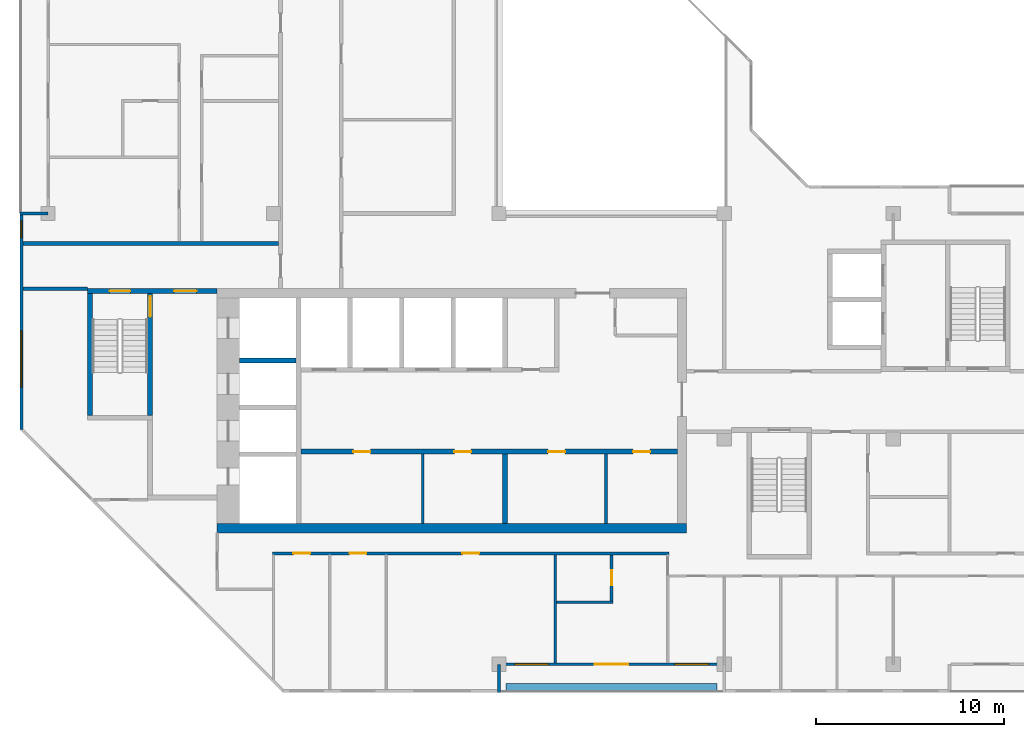
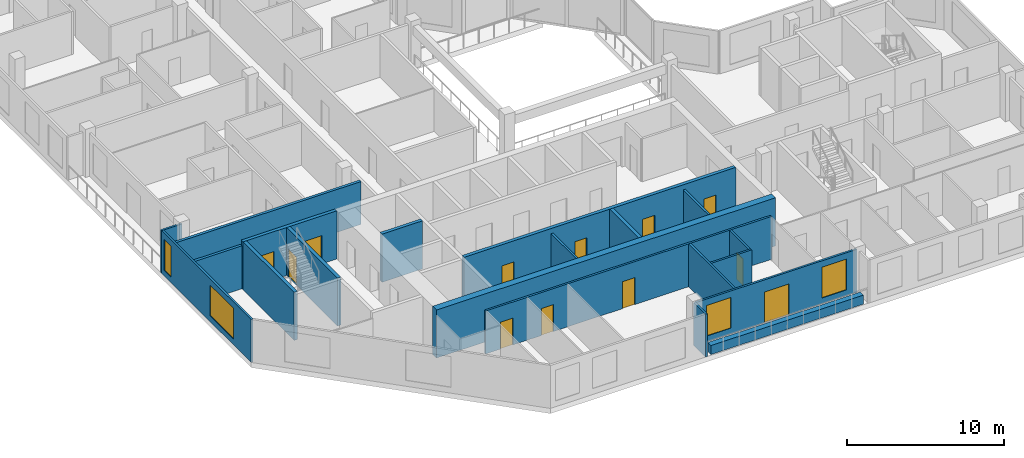
# One storey, part 4 of 12: 20 walls, 12 doors, 4 windows, 16 openings.
"""IFC4 building model written with IfcOpenShell, lengths in metres."""

from ifc_helpers import new_model, si_unit, direction, frame, frame_2d, origin, place, context, subcontext, project, spatial, rectangle, extrude, material, layer, layer_set, type_object, element, fill, save


model = new_model("IFC4")

# Units and contexts
model_context = context("Model", 3, precision=1e-05, world=origin(), true_north=direction((0.0, 1.0)))
body_context = subcontext(model_context, "Body", "Model", "MODEL_VIEW")
ifc_project = project(units=[si_unit("LENGTHUNIT", "METRE"), si_unit("AREAUNIT", "SQUARE_METRE"), si_unit("VOLUMEUNIT", "CUBIC_METRE"), si_unit("PLANEANGLEUNIT", "RADIAN"), si_unit("MASSUNIT", "GRAM", prefix="KILO")], contexts=[model_context])

# Site, building, storey
site_placement = place(None, origin())
site = spatial("IfcSite", under=ifc_project, at=site_placement, CompositionType="ELEMENT")
building_placement = place(site_placement, origin())
building = spatial("IfcBuilding", under=site, at=building_placement, Name="Chenar Terraces", CompositionType="ELEMENT")
storey_placement = place(building_placement, frame((0.0, 0.0, 357.64990234375)))
storey = spatial("IfcBuildingStorey", under=building, at=storey_placement, Name="L83", CompositionType="ELEMENT", Elevation=357.64990234375)

# Walls
ifc_material_1 = material(Name="Gypsum board on steel studs", Category="steel")
ifc_layer_1 = layer(ifc_material_1, 0.14990234375)
ifc_layer_set_1 = layer_set([ifc_layer_1], Name="Gypsum board on steel studs")
wall_type_1 = type_object("IfcWallType", Name="Core partition 150 gypsum board", PredefinedType="PARTITIONING", material=ifc_layer_set_1)
for number, where, z_axis, x_axis, name in (
    (1, (19.949951171875, 7.5, 0.0), (0.0, 0.0, 1.0), (0.0, 1.0, 0.0), "Core partition CP1 freed bay wall"),
    (2, (29.699951171875, 7.5, 0.0), (0.0, 0.0, 1.0), (0.0, 1.0, 0.0), "Core partition CP1 freed bay wall"),
):
    element("IfcWall", number, at=place(storey_placement, frame(where, z_axis=z_axis, x_axis=x_axis)), inside=storey, type_object=wall_type_1, Name=name, PredefinedType="PARTITIONING", context=body_context, shape_type="SweptSolid", body=[
        extrude(rectangle(XDim=3.699951171875, YDim=0.14990234375, at=frame_2d((1.85009765625, 0.0))), origin(), (0.0, 0.0, 1.0), 3.35009765625),
    ])

# Wall, openings, doors
ifc_material_2 = material(Name="Concrete C50/60", Category="concrete")
ifc_layer_2 = layer(ifc_material_2, 0.25)
ifc_layer_set_2 = layer_set([ifc_layer_2], Name="Concrete C50/60")
wall_type_2 = type_object("IfcWallType", Name="Core wall 250 Concrete C50/60", PredefinedType="SHEAR", material=ifc_layer_set_2)
wall_1_placement = place(storey_placement, frame((13.449951171875, 11.324951171875, 0.0), z_axis=(0.0, 0.0, 1.0), x_axis=(1.0, 0.0, 0.0)))
wall_1 = element("IfcWall", 3, at=wall_1_placement, inside=storey, type_object=wall_type_2, Name="Core wall SF L83", PredefinedType="SHEAR", context=body_context, shape_type="SweptSolid", body=[
    extrude(rectangle(XDim=20.050048828125, YDim=0.25, at=frame_2d((10.02490234375, 0.0))), origin(), (0.0, 0.0, 1.0), 3.75),
])
opening_1_placement = place(wall_1_placement, frame((2.800048828125, 0.0, 0.0)))
opening_1 = element("IfcOpeningElement", 4, at=opening_1_placement, cuts=wall_1, Name="Opening DL83-C12", PredefinedType="OPENING", context=body_context, shape_type="SweptSolid", body=[
    extrude(rectangle(XDim=0.89990234375, YDim=2.10009765625, at=frame_2d((0.449951171875, 1.050048828125))), frame((0.0, 0.135009765625, 0.0), z_axis=(0.0, -1.0, 0.0), x_axis=(1.0, 0.0, 0.0)), (0.0, 0.0, 1.0), 0.27001953125),
])
opening_2_placement = place(wall_1_placement, frame((8.175048828125, 0.0, 0.0)))
opening_2 = element("IfcOpeningElement", 5, at=opening_2_placement, cuts=wall_1, Name="Opening DL83-C13", PredefinedType="OPENING", context=body_context, shape_type="SweptSolid", body=[
    extrude(rectangle(XDim=0.89990234375, YDim=2.10009765625, at=frame_2d((0.449951171875, 1.050048828125))), frame((0.0, 0.135009765625, 0.0), z_axis=(0.0, -1.0, 0.0), x_axis=(1.0, 0.0, 0.0)), (0.0, 0.0, 1.0), 0.27001953125),
])
opening_3_placement = place(wall_1_placement, frame((13.175048828125, 0.0, 0.0)))
opening_3 = element("IfcOpeningElement", 6, at=opening_3_placement, cuts=wall_1, Name="Opening DL83-C14", PredefinedType="OPENING", context=body_context, shape_type="SweptSolid", body=[
    extrude(rectangle(XDim=0.89990234375, YDim=2.10009765625, at=frame_2d((0.449951171875, 1.050048828125))), frame((0.0, 0.135009765625, 0.0), z_axis=(0.0, -1.0, 0.0), x_axis=(1.0, 0.0, 0.0)), (0.0, 0.0, 1.0), 0.27001953125),
])
opening_4_placement = place(wall_1_placement, frame((17.699951171875, 0.0, 0.0)))
opening_4 = element("IfcOpeningElement", 7, at=opening_4_placement, cuts=wall_1, Name="Opening DL83-C15", PredefinedType="OPENING", context=body_context, shape_type="SweptSolid", body=[
    extrude(rectangle(XDim=0.89990234375, YDim=2.10009765625, at=frame_2d((0.449951171875, 1.050048828125))), frame((0.0, 0.135009765625, 0.0), z_axis=(0.0, -1.0, 0.0), x_axis=(1.0, 0.0, 0.0)), (0.0, 0.0, 1.0), 0.27001953125),
])
ifc_material_3 = material(Name="Steel-framed fire-resisting door leaf", Category="steel")
door_type_1 = type_object("IfcDoorType", Name="Riser fire door FD60 900 x 2100", OperationType="SINGLE_SWING_LEFT", PredefinedType="DOOR", material=ifc_material_3)
door_1_placement = place(opening_1_placement, frame((0.89990234375, 0.0, 0.0), z_axis=(0.0, 0.0, 1.0), x_axis=(-1.0, 0.0, 0.0)))
door_1 = element("IfcDoor", 8, at=door_1_placement, inside=storey, type_object=door_type_1, Name="Core room door DL83-C12", OperationType="SINGLE_SWING_LEFT", OverallHeight=2.10009765625, OverallWidth=0.89990234375, PredefinedType="DOOR", context=body_context, shape_type="SweptSolid", body=[
    extrude(rectangle(XDim=0.89990234375, YDim=2.10009765625, at=frame_2d((0.449951171875, 1.050048828125))), frame((0.0, 0.02490234375, 0.0), z_axis=(0.0, -1.0, 0.0), x_axis=(1.0, 0.0, 0.0)), (0.0, 0.0, 1.0), 0.050048828125),
])
fill(opening_1, door_1)
door_2_placement = place(opening_2_placement, frame((0.89990234375, 0.0, 0.0), z_axis=(0.0, 0.0, 1.0), x_axis=(-1.0, 0.0, 0.0)))
door_2 = element("IfcDoor", 9, at=door_2_placement, inside=storey, type_object=door_type_1, Name="Core room door DL83-C13", OperationType="SINGLE_SWING_LEFT", OverallHeight=2.10009765625, OverallWidth=0.89990234375, PredefinedType="DOOR", context=body_context, shape_type="SweptSolid", body=[
    extrude(rectangle(XDim=0.89990234375, YDim=2.10009765625, at=frame_2d((0.449951171875, 1.050048828125))), frame((0.0, 0.02490234375, 0.0), z_axis=(0.0, -1.0, 0.0), x_axis=(1.0, 0.0, 0.0)), (0.0, 0.0, 1.0), 0.050048828125),
])
fill(opening_2, door_2)
door_3_placement = place(opening_3_placement, frame((0.89990234375, 0.0, 0.0), z_axis=(0.0, 0.0, 1.0), x_axis=(-1.0, 0.0, 0.0)))
door_3 = element("IfcDoor", 10, at=door_3_placement, inside=storey, type_object=door_type_1, Name="Core room door DL83-C14", OperationType="SINGLE_SWING_LEFT", OverallHeight=2.10009765625, OverallWidth=0.89990234375, PredefinedType="DOOR", context=body_context, shape_type="SweptSolid", body=[
    extrude(rectangle(XDim=0.89990234375, YDim=2.10009765625, at=frame_2d((0.449951171875, 1.050048828125))), frame((0.0, 0.02490234375, 0.0), z_axis=(0.0, -1.0, 0.0), x_axis=(1.0, 0.0, 0.0)), (0.0, 0.0, 1.0), 0.050048828125),
])
fill(opening_3, door_3)
door_4_placement = place(opening_4_placement, frame((0.89990234375, 0.0, 0.0), z_axis=(0.0, 0.0, 1.0), x_axis=(-1.0, 0.0, 0.0)))
door_4 = element("IfcDoor", 11, at=door_4_placement, inside=storey, type_object=door_type_1, Name="Core room door DL83-C15", OperationType="SINGLE_SWING_RIGHT", OverallHeight=2.10009765625, OverallWidth=0.89990234375, PredefinedType="DOOR", context=body_context, shape_type="SweptSolid", body=[
    extrude(rectangle(XDim=0.89990234375, YDim=2.10009765625, at=frame_2d((0.449951171875, 1.050048828125))), frame((0.0, 0.02490234375, 0.0), z_axis=(0.0, -1.0, 0.0), x_axis=(1.0, 0.0, 0.0)), (0.0, 0.0, 1.0), 0.050048828125),
])
fill(opening_4, door_4)

# Walls
wall_2_placement = place(storey_placement, frame((10.199951171875, 16.175048828125, 0.0), z_axis=(0.0, 0.0, 1.0), x_axis=(1.0, 0.0, 0.0)))
element("IfcWall", 12, at=wall_2_placement, inside=storey, type_object=wall_type_2, Name="Core wall HW2 L83", PredefinedType="SHEAR", context=body_context, shape_type="SweptSolid", body=[
    extrude(rectangle(XDim=3.0, YDim=0.25, at=frame_2d((1.5, 0.0))), origin(), (0.0, 0.0, 1.0), 3.75),
])
wall_3_placement = place(storey_placement, frame((24.324951171875, 7.5, 0.0), z_axis=(0.0, 0.0, 1.0), x_axis=(0.0, 1.0, 0.0)))
element("IfcWall", 13, at=wall_3_placement, inside=storey, type_object=wall_type_2, Name="Core wall SS3 L83", PredefinedType="SHEAR", context=body_context, shape_type="SweptSolid", body=[
    extrude(rectangle(XDim=3.699951171875, YDim=0.25, at=frame_2d((1.85009765625, 0.0))), origin(), (0.0, 0.0, 1.0), 3.75),
])

# Wall, openings, doors
wall_4_placement = place(storey_placement, frame((2.10009765625, 19.875, 0.0), z_axis=(0.0, 0.0, 1.0), x_axis=(1.0, 0.0, 0.0)))
wall_4 = element("IfcWall", 14, at=wall_4_placement, inside=storey, type_object=wall_type_2, Name="Core wall A_N L83", PredefinedType="SHEAR", context=body_context, shape_type="SweptSolid", body=[
    extrude(rectangle(XDim=6.89990234375, YDim=0.25, at=frame_2d((3.449951171875, 0.0))), origin(), (0.0, 0.0, 1.0), 3.75),
])
opening_5_placement = place(wall_4_placement, frame((1.175048828125, 0.0, 0.0)))
opening_5 = element("IfcOpeningElement", 15, at=opening_5_placement, cuts=wall_4, Name="Opening DL83-C5", PredefinedType="OPENING", context=body_context, shape_type="SweptSolid", body=[
    extrude(rectangle(XDim=1.10009765625, YDim=2.199951171875, at=frame_2d((0.550048828125, 1.10009765625))), frame((0.0, 0.135009765625, 0.0), z_axis=(0.0, -1.0, 0.0), x_axis=(1.0, 0.0, 0.0)), (0.0, 0.0, 1.0), 0.27001953125),
])
opening_6_placement = place(wall_4_placement, frame((4.60009765625, 0.0, 0.0)))
opening_6 = element("IfcOpeningElement", 16, at=opening_6_placement, cuts=wall_4, Name="Opening DL83-C6", PredefinedType="OPENING", context=body_context, shape_type="SweptSolid", body=[
    extrude(rectangle(XDim=1.199951171875, YDim=2.199951171875, at=frame_2d((0.60009765625, 1.10009765625))), frame((0.0, 0.135009765625, 0.0), z_axis=(0.0, -1.0, 0.0), x_axis=(1.0, 0.0, 0.0)), (0.0, 0.0, 1.0), 0.27001953125),
])
ifc_material_4 = material(Name="Steel-framed fire-resisting door leaf", Category="steel")
door_type_2 = type_object("IfcDoorType", Name="Lobby fire door FD60 1200 x 2200", OperationType="SINGLE_SWING_LEFT", PredefinedType="DOOR", material=ifc_material_4)
door_5_placement = place(opening_6_placement, frame((1.199951171875, 0.0, 0.0), z_axis=(0.0, 0.0, 1.0), x_axis=(-1.0, 0.0, 0.0)))
door_5 = element("IfcDoor", 17, at=door_5_placement, inside=storey, type_object=door_type_2, Name="Core door DL83-C6", OperationType="SINGLE_SWING_LEFT", OverallHeight=2.199951171875, OverallWidth=1.199951171875, PredefinedType="DOOR", context=body_context, shape_type="SweptSolid", body=[
    extrude(rectangle(XDim=1.199951171875, YDim=2.199951171875, at=frame_2d((0.60009765625, 1.10009765625))), frame((0.0, 0.02490234375, 0.0), z_axis=(0.0, -1.0, 0.0), x_axis=(1.0, 0.0, 0.0)), (0.0, 0.0, 1.0), 0.050048828125),
])
fill(opening_6, door_5)
ifc_material_5 = material(Name="Steel-framed fire-resisting door leaf", Category="steel")
door_type_3 = type_object("IfcDoorType", Name="Stair fire door FD60 1100 x 2200", OperationType="SINGLE_SWING_LEFT", PredefinedType="DOOR", material=ifc_material_5)
door_6_placement = place(opening_5_placement, origin())
door_6 = element("IfcDoor", 18, at=door_6_placement, inside=storey, type_object=door_type_3, Name="Stair door DL83-C5", OperationType="SINGLE_SWING_LEFT", OverallHeight=2.199951171875, OverallWidth=1.10009765625, PredefinedType="DOOR", context=body_context, shape_type="SweptSolid", body=[
    extrude(rectangle(XDim=1.10009765625, YDim=2.199951171875, at=frame_2d((0.550048828125, 1.10009765625))), frame((0.0, 0.02490234375, 0.0), z_axis=(0.0, -1.0, 0.0), x_axis=(1.0, 0.0, 0.0)), (0.0, 0.0, 1.0), 0.050048828125),
])
fill(opening_5, door_6)

# Wall
wall_5_placement = place(storey_placement, frame((2.22509765625, 13.25, 0.0), z_axis=(0.0, 0.0, 1.0), x_axis=(0.0, 1.0, 0.0)))
element("IfcWall", 19, at=wall_5_placement, inside=storey, type_object=wall_type_2, Name="Core wall ST1_W L83", PredefinedType="SHEAR", context=body_context, shape_type="SweptSolid", body=[
    extrude(rectangle(XDim=6.5, YDim=0.25, at=frame_2d((3.25, 0.0))), origin(), (0.0, 0.0, 1.0), 3.75),
])

# Wall, opening, door
wall_6_placement = place(storey_placement, frame((5.425048828125, 13.25, 0.0), z_axis=(0.0, 0.0, 1.0), x_axis=(0.0, 1.0, 0.0)))
wall_6 = element("IfcWall", 20, at=wall_6_placement, inside=storey, type_object=wall_type_2, Name="Core wall ST1_E L83", PredefinedType="SHEAR", context=body_context, shape_type="SweptSolid", body=[
    extrude(rectangle(XDim=6.5, YDim=0.25, at=frame_2d((3.25, 0.0))), origin(), (0.0, 0.0, 1.0), 3.75),
])
opening_7_placement = place(wall_6_placement, frame((5.25, 0.0, 0.0)))
opening_7 = element("IfcOpeningElement", 21, at=opening_7_placement, cuts=wall_6, Name="Opening DL83-C3", PredefinedType="OPENING", context=body_context, shape_type="SweptSolid", body=[
    extrude(rectangle(XDim=1.10009765625, YDim=2.199951171875, at=frame_2d((0.550048828125, 1.10009765625))), frame((0.0, 0.135009765625, 0.0), z_axis=(0.0, -1.0, 0.0), x_axis=(1.0, 0.0, 0.0)), (0.0, 0.0, 1.0), 0.27001953125),
])
door_7_placement = place(opening_7_placement, origin())
door_7 = element("IfcDoor", 22, at=door_7_placement, inside=storey, type_object=door_type_3, Name="Stair door DL83-C3", OperationType="SINGLE_SWING_RIGHT", OverallHeight=2.199951171875, OverallWidth=1.10009765625, PredefinedType="DOOR", context=body_context, shape_type="SweptSolid", body=[
    extrude(rectangle(XDim=1.10009765625, YDim=2.199951171875, at=frame_2d((0.550048828125, 1.10009765625))), frame((0.0, 0.02490234375, 0.0), z_axis=(0.0, -1.0, 0.0), x_axis=(1.0, 0.0, 0.0)), (0.0, 0.0, 1.0), 0.050048828125),
])
fill(opening_7, door_7)

# Walls
ifc_material_6 = material(Name="Concrete C50/60", Category="concrete")
ifc_layer_3 = layer(ifc_material_6, 0.5)
ifc_layer_set_3 = layer_set([ifc_layer_3], Name="Concrete C50/60")
wall_type_3 = type_object("IfcWallType", Name="Core wall 500 Concrete C50/60", PredefinedType="SHEAR", material=ifc_layer_set_3)
wall_7_placement = place(storey_placement, frame((9.0, 7.25, 0.0), z_axis=(0.0, 0.0, 1.0), x_axis=(1.0, 0.0, 0.0)))
element("IfcWall", 23, at=wall_7_placement, inside=storey, type_object=wall_type_3, Name="Core wall S L83", PredefinedType="SHEAR", context=body_context, shape_type="SweptSolid", body=[
    extrude(rectangle(XDim=25.0, YDim=0.5, at=frame_2d((12.5, 0.0))), origin(), (0.0, 0.0, 1.0), 3.75),
])
ifc_material_7 = material(Name="Gypsum board on steel studs with fire boards", Category="steel")
ifc_layer_4 = layer(ifc_material_7, 0.199951171875)
ifc_layer_set_4 = layer_set([ifc_layer_4], Name="Gypsum board on steel studs with fire boards")
wall_type_4 = type_object("IfcWallType", Name="Corridor wall 200", PredefinedType="PARTITIONING", material=ifc_layer_set_4)
wall_8_placement = place(storey_placement, frame((-1.35009765625, 20.0, 0.0), z_axis=(0.0, 0.0, 1.0), x_axis=(1.0, 0.0, 0.0)))
element("IfcWall", 24, at=wall_8_placement, inside=storey, type_object=wall_type_4, Name="Partition L83-002", PredefinedType="PARTITIONING", context=body_context, shape_type="SweptSolid", body=[
    extrude(rectangle(XDim=3.4501953125, YDim=0.199951171875, at=frame_2d((1.72509765625, 0.0))), origin(), (0.0, 0.0, 1.0), 3.35009765625),
])
wall_9_placement = place(storey_placement, frame((-1.35009765625, 22.39990234375, 0.0), z_axis=(0.0, 0.0, 1.0), x_axis=(1.0, 0.0, 0.0)))
element("IfcWall", 25, at=wall_9_placement, inside=storey, type_object=wall_type_4, Name="Partition L83-003", PredefinedType="PARTITIONING", context=body_context, shape_type="SweptSolid", body=[
    extrude(rectangle(XDim=13.625, YDim=0.199951171875, at=frame_2d((6.8125, 0.0))), origin(), (0.0, 0.0, 1.0), 3.35009765625),
])

# Wall, openings, windows
ifc_material_8 = material(Name="Aluminium framed glazing", Category="aluminium")
ifc_layer_5 = layer(ifc_material_8, 0.14990234375)
ifc_layer_set_5 = layer_set([ifc_layer_5], Name="Aluminium framed glazing")
wall_type_5 = type_object("IfcWallType", Name="Glazed flush facade wall 150", PredefinedType="SOLIDWALL", material=ifc_layer_set_5)
wall_10_placement = place(storey_placement, frame((-1.425048828125, 23.925048828125, 0.0), z_axis=(0.0, 0.0, 1.0), x_axis=(0.0, -1.0, 0.0)))
wall_10 = element("IfcWall", 26, at=wall_10_placement, inside=storey, type_object=wall_type_5, Name="Glazed flush facade wall", PredefinedType="SOLIDWALL", context=body_context, shape_type="SweptSolid", body=[
    extrude(rectangle(XDim=11.425048828125, YDim=0.14990234375, at=frame_2d((5.71240234375, 0.0))), origin(), (0.0, 0.0, 1.0), 3.35009765625),
])
opening_8_placement = place(wall_10_placement, frame((0.3125, 0.0, 0.449951171875)))
opening_8 = element("IfcOpeningElement", 27, at=opening_8_placement, cuts=wall_10, Name="Opening W90x240", PredefinedType="OPENING", context=body_context, shape_type="SweptSolid", body=[
    extrude(rectangle(XDim=0.89990234375, YDim=2.39990234375, at=frame_2d((0.449951171875, 1.199951171875))), frame((0.0, 0.0849609375, 0.0), z_axis=(0.0, -1.0, 0.0), x_axis=(1.0, 0.0, 0.0)), (0.0, 0.0, 1.0), 0.169921875),
])
opening_9_placement = place(wall_10_placement, frame((6.175048828125, 0.0, 0.449951171875)))
opening_9 = element("IfcOpeningElement", 28, at=opening_9_placement, cuts=wall_10, Name="Opening W300x240", PredefinedType="OPENING", context=body_context, shape_type="SweptSolid", body=[
    extrude(rectangle(XDim=3.0, YDim=2.39990234375, at=frame_2d((1.5, 1.199951171875))), frame((0.0, 0.0849609375, 0.0), z_axis=(0.0, -1.0, 0.0), x_axis=(1.0, 0.0, 0.0)), (0.0, 0.0, 1.0), 0.169921875),
])
ifc_material_9 = material(Name="Low emissivity double glazing, aluminium frame", Category="aluminium")
window_type_1 = type_object("IfcWindowType", Name="Fixed light 3000 x 2400", PartitioningType="SINGLE_PANEL", PredefinedType="WINDOW", material=ifc_material_9)
window_1_placement = place(opening_9_placement, origin())
window_1 = element("IfcWindow", 29, at=window_1_placement, inside=storey, type_object=window_type_1, Name="Window", OverallHeight=2.39990234375, OverallWidth=3.0, PartitioningType="SINGLE_PANEL", PredefinedType="WINDOW", context=body_context, shape_type="SweptSolid", body=[
    extrude(rectangle(XDim=3.0, YDim=2.39990234375, at=frame_2d((1.5, 1.199951171875))), frame((0.0, 0.030029296875, 0.0), z_axis=(0.0, -1.0, 0.0), x_axis=(1.0, 0.0, 0.0)), (0.0, 0.0, 1.0), 0.06005859375),
])
fill(opening_9, window_1)
ifc_material_10 = material(Name="Low emissivity double glazing, aluminium frame", Category="aluminium")
window_type_2 = type_object("IfcWindowType", Name="Fixed light 900 x 2400", PartitioningType="SINGLE_PANEL", PredefinedType="WINDOW", material=ifc_material_10)
window_2_placement = place(opening_8_placement, origin())
window_2 = element("IfcWindow", 30, at=window_2_placement, inside=storey, type_object=window_type_2, Name="Window", OverallHeight=2.39990234375, OverallWidth=0.89990234375, PartitioningType="SINGLE_PANEL", PredefinedType="WINDOW", context=body_context, shape_type="SweptSolid", body=[
    extrude(rectangle(XDim=0.89990234375, YDim=2.39990234375, at=frame_2d((0.449951171875, 1.199951171875))), frame((0.0, 0.030029296875, 0.0), z_axis=(0.0, -1.0, 0.0), x_axis=(1.0, 0.0, 0.0)), (0.0, 0.0, 1.0), 0.06005859375),
])
fill(opening_8, window_2)

# Wall, openings, windows, door
ifc_material_11 = material(Name="Aluminium framed glazing", Category="aluminium")
ifc_layer_6 = layer(ifc_material_11, 0.14990234375)
ifc_layer_set_6 = layer_set([ifc_layer_6], Name="Aluminium framed glazing")
wall_type_6 = type_object("IfcWallType", Name="Glazed loggia back wall 150", PredefinedType="SOLIDWALL", material=ifc_layer_set_6)
wall_11_placement = place(storey_placement, frame((24.074951171875, 0.0, 0.0), z_axis=(0.0, 0.0, 1.0), x_axis=(1.0, 0.0, 0.0)))
wall_11 = element("IfcWall", 31, at=wall_11_placement, inside=storey, type_object=wall_type_6, Name="Glazed loggia back wall", PredefinedType="SOLIDWALL", context=body_context, shape_type="SweptSolid", body=[
    extrude(rectangle(XDim=11.85009765625, YDim=0.14990234375, at=frame_2d((5.925048828125, 0.0))), origin(), (0.0, 0.0, 1.0), 3.35009765625),
])
opening_10_placement = place(wall_11_placement, frame((0.762451171875, 0.0, 0.449951171875)))
opening_10 = element("IfcOpeningElement", 32, at=opening_10_placement, cuts=wall_11, Name="Opening W180x240", PredefinedType="OPENING", context=body_context, shape_type="SweptSolid", body=[
    extrude(rectangle(XDim=1.800048828125, YDim=2.39990234375, at=frame_2d((0.89990234375, 1.199951171875))), frame((0.0, 0.0849609375, 0.0), z_axis=(0.0, -1.0, 0.0), x_axis=(1.0, 0.0, 0.0)), (0.0, 0.0, 1.0), 0.169921875),
])
opening_11_placement = place(wall_11_placement, frame((5.02490234375, 0.0, 0.0)))
opening_11 = element("IfcOpeningElement", 33, at=opening_11_placement, cuts=wall_11, Name="Opening DL83-G4", PredefinedType="OPENING", context=body_context, shape_type="SweptSolid", body=[
    extrude(rectangle(XDim=1.800048828125, YDim=2.39990234375, at=frame_2d((0.89990234375, 1.199951171875))), frame((0.0, 0.0849609375, 0.0), z_axis=(0.0, -1.0, 0.0), x_axis=(1.0, 0.0, 0.0)), (0.0, 0.0, 1.0), 0.169921875),
])
opening_12_placement = place(wall_11_placement, frame((9.28759765625, 0.0, 0.449951171875)))
opening_12 = element("IfcOpeningElement", 34, at=opening_12_placement, cuts=wall_11, Name="Opening W180x240", PredefinedType="OPENING", context=body_context, shape_type="SweptSolid", body=[
    extrude(rectangle(XDim=1.800048828125, YDim=2.39990234375, at=frame_2d((0.89990234375, 1.199951171875))), frame((0.0, 0.0849609375, 0.0), z_axis=(0.0, -1.0, 0.0), x_axis=(1.0, 0.0, 0.0)), (0.0, 0.0, 1.0), 0.169921875),
])
ifc_material_12 = material(Name="Low emissivity double glazing, aluminium frame", Category="aluminium")
window_type_3 = type_object("IfcWindowType", Name="Fixed light 1800 x 2400", PartitioningType="SINGLE_PANEL", PredefinedType="WINDOW", material=ifc_material_12)
window_3_placement = place(opening_10_placement, origin())
window_3 = element("IfcWindow", 35, at=window_3_placement, inside=storey, type_object=window_type_3, Name="Window", OverallHeight=2.39990234375, OverallWidth=1.800048828125, PartitioningType="SINGLE_PANEL", PredefinedType="WINDOW", context=body_context, shape_type="SweptSolid", body=[
    extrude(rectangle(XDim=1.800048828125, YDim=2.39990234375, at=frame_2d((0.89990234375, 1.199951171875))), frame((0.0, 0.030029296875, 0.0), z_axis=(0.0, -1.0, 0.0), x_axis=(1.0, 0.0, 0.0)), (0.0, 0.0, 1.0), 0.06005859375),
])
fill(opening_10, window_3)
window_4_placement = place(opening_12_placement, origin())
window_4 = element("IfcWindow", 36, at=window_4_placement, inside=storey, type_object=window_type_3, Name="Window", OverallHeight=2.39990234375, OverallWidth=1.800048828125, PartitioningType="SINGLE_PANEL", PredefinedType="WINDOW", context=body_context, shape_type="SweptSolid", body=[
    extrude(rectangle(XDim=1.800048828125, YDim=2.39990234375, at=frame_2d((0.89990234375, 1.199951171875))), frame((0.0, 0.030029296875, 0.0), z_axis=(0.0, -1.0, 0.0), x_axis=(1.0, 0.0, 0.0)), (0.0, 0.0, 1.0), 0.06005859375),
])
fill(opening_12, window_4)
ifc_material_13 = material(Name="Low emissivity double glazing, aluminium frame", Category="aluminium")
door_type_4 = type_object("IfcDoorType", Name="Loggia glazed double door 1800 x 2400", OperationType="DOUBLE_DOOR_SINGLE_SWING", PredefinedType="DOOR", material=ifc_material_13)
door_8_placement = place(opening_11_placement, frame((1.800048828125, 0.0, 0.0), z_axis=(0.0, 0.0, 1.0), x_axis=(-1.0, 0.0, 0.0)))
door_8 = element("IfcDoor", 37, at=door_8_placement, inside=storey, type_object=door_type_4, Name="Loggia glazed door", OperationType="DOUBLE_DOOR_SINGLE_SWING", OverallHeight=2.39990234375, OverallWidth=1.800048828125, PredefinedType="DOOR", context=body_context, shape_type="SweptSolid", body=[
    extrude(rectangle(XDim=1.800048828125, YDim=2.39990234375, at=frame_2d((0.89990234375, 1.199951171875))), frame((0.0, 0.02490234375, 0.0), z_axis=(0.0, -1.0, 0.0), x_axis=(1.0, 0.0, 0.0)), (0.0, 0.0, 1.0), 0.050048828125),
])
fill(opening_11, door_8)

# Walls
ifc_material_14 = material(Name="Terracotta cladding on insulated backing", Category="masonry")
ifc_layer_7 = layer(ifc_material_14, 0.14990234375)
ifc_layer_set_7 = layer_set([ifc_layer_7], Name="Terracotta cladding on insulated backing")
wall_type_7 = type_object("IfcWallType", Name="Loggia return wall 150", PredefinedType="SOLIDWALL", material=ifc_layer_set_7)
for number, where, z_axis, x_axis, name in (
    (38, (-1.5, 24.0, 0.0), (0.0, 0.0, 1.0), (1.0, 0.0, 0.0), "Loggia return wall"),
    (39, (24.0, -1.5, 0.0), (0.0, 0.0, 1.0), (0.0, 1.0, 0.0), "Loggia return wall"),
):
    element("IfcWall", number, at=place(storey_placement, frame(where, z_axis=z_axis, x_axis=x_axis)), inside=storey, type_object=wall_type_7, Name=name, PredefinedType="SOLIDWALL", context=body_context, shape_type="SweptSolid", body=[
        extrude(rectangle(XDim=1.5, YDim=0.14990234375, at=frame_2d((0.75, 0.0))), origin(), (0.0, 0.0, 1.0), 3.35009765625),
    ])
ifc_material_15 = material(Name="GRP planter trough")
ifc_layer_8 = layer(ifc_material_15, 0.39990234375)
ifc_layer_set_8 = layer_set([ifc_layer_8], Name="GRP planter trough")
wall_type_8 = type_object("IfcWallType", Name="Vertical greenery planter 400", PredefinedType="SOLIDWALL", material=ifc_layer_set_8)
wall_12_placement = place(storey_placement, frame((24.375, -1.22900390625, 0.0), z_axis=(0.0, 0.0, 1.0), x_axis=(1.0, 0.0, 0.0)))
element("IfcWall", 40, at=wall_12_placement, inside=storey, type_object=wall_type_8, Name="Vertical greenery planter", PredefinedType="SOLIDWALL", context=body_context, shape_type="SweptSolid", body=[
    extrude(rectangle(XDim=11.25, YDim=0.39990234375, at=frame_2d((5.625, 0.0))), origin(), (0.0, 0.0, 1.0), 0.7001953125),
])

# Wall, openings, doors
ifc_material_16 = material(Name="Moisture-resistant gypsum board on steel studs", Category="steel")
ifc_layer_9 = layer(ifc_material_16, 0.14990234375)
ifc_layer_set_9 = layer_set([ifc_layer_9], Name="Moisture-resistant gypsum board on steel studs")
wall_type_9 = type_object("IfcWallType", Name="Wet-room partition 150", PredefinedType="PARTITIONING", material=ifc_layer_set_9)
wall_13_placement = place(storey_placement, frame((11.949951171875, 5.89990234375, 0.0), z_axis=(0.0, 0.0, 1.0), x_axis=(1.0, 0.0, 0.0)))
wall_13 = element("IfcWall", 41, at=wall_13_placement, inside=storey, type_object=wall_type_9, Name="Partition L83-030", PredefinedType="PARTITIONING", context=body_context, shape_type="SweptSolid", body=[
    extrude(rectangle(XDim=21.10009765625, YDim=0.14990234375, at=frame_2d((10.550048828125, 0.0))), origin(), (0.0, 0.0, 1.0), 3.35009765625),
])
opening_13_placement = place(wall_13_placement, frame((1.10009765625, 0.0, 0.0)))
opening_13 = element("IfcOpeningElement", 42, at=opening_13_placement, cuts=wall_13, Name="Opening DL83-24", PredefinedType="OPENING", context=body_context, shape_type="SweptSolid", body=[
    extrude(rectangle(XDim=0.89990234375, YDim=2.10009765625, at=frame_2d((0.449951171875, 1.050048828125))), frame((0.0, 0.0849609375, 0.0), z_axis=(0.0, -1.0, 0.0), x_axis=(1.0, 0.0, 0.0)), (0.0, 0.0, 1.0), 0.169921875),
])
opening_14_placement = place(wall_13_placement, frame((4.10009765625, 0.0, 0.0)))
opening_14 = element("IfcOpeningElement", 43, at=opening_14_placement, cuts=wall_13, Name="Opening DL83-25", PredefinedType="OPENING", context=body_context, shape_type="SweptSolid", body=[
    extrude(rectangle(XDim=0.89990234375, YDim=2.10009765625, at=frame_2d((0.449951171875, 1.050048828125))), frame((0.0, 0.0849609375, 0.0), z_axis=(0.0, -1.0, 0.0), x_axis=(1.0, 0.0, 0.0)), (0.0, 0.0, 1.0), 0.169921875),
])
opening_15_placement = place(wall_13_placement, frame((10.10009765625, 0.0, 0.0)))
opening_15 = element("IfcOpeningElement", 44, at=opening_15_placement, cuts=wall_13, Name="Opening DL83-37", PredefinedType="OPENING", context=body_context, shape_type="SweptSolid", body=[
    extrude(rectangle(XDim=0.89990234375, YDim=2.10009765625, at=frame_2d((0.449951171875, 1.050048828125))), frame((0.0, 0.0849609375, 0.0), z_axis=(0.0, -1.0, 0.0), x_axis=(1.0, 0.0, 0.0)), (0.0, 0.0, 1.0), 0.169921875),
])
ifc_material_17 = material(Name="Veneered timber door leaf", Category="wood")
door_type_5 = type_object("IfcDoorType", Name="Door 900 x 2100", OperationType="SINGLE_SWING_LEFT", PredefinedType="DOOR", material=ifc_material_17)
door_9_placement = place(opening_13_placement, frame((0.89990234375, 0.0, 0.0), z_axis=(0.0, 0.0, 1.0), x_axis=(-1.0, 0.0, 0.0)))
door_9 = element("IfcDoor", 45, at=door_9_placement, inside=storey, type_object=door_type_5, Name="Door DL83-24", OperationType="SINGLE_SWING_RIGHT", OverallHeight=2.10009765625, OverallWidth=0.89990234375, PredefinedType="DOOR", context=body_context, shape_type="SweptSolid", body=[
    extrude(rectangle(XDim=0.89990234375, YDim=2.10009765625, at=frame_2d((0.449951171875, 1.050048828125))), frame((0.0, 0.02490234375, 0.0), z_axis=(0.0, -1.0, 0.0), x_axis=(1.0, 0.0, 0.0)), (0.0, 0.0, 1.0), 0.050048828125),
])
fill(opening_13, door_9)
door_10_placement = place(opening_14_placement, frame((0.89990234375, 0.0, 0.0), z_axis=(0.0, 0.0, 1.0), x_axis=(-1.0, 0.0, 0.0)))
door_10 = element("IfcDoor", 46, at=door_10_placement, inside=storey, type_object=door_type_5, Name="Door DL83-25", OperationType="SINGLE_SWING_RIGHT", OverallHeight=2.10009765625, OverallWidth=0.89990234375, PredefinedType="DOOR", context=body_context, shape_type="SweptSolid", body=[
    extrude(rectangle(XDim=0.89990234375, YDim=2.10009765625, at=frame_2d((0.449951171875, 1.050048828125))), frame((0.0, 0.02490234375, 0.0), z_axis=(0.0, -1.0, 0.0), x_axis=(1.0, 0.0, 0.0)), (0.0, 0.0, 1.0), 0.050048828125),
])
fill(opening_14, door_10)
door_11_placement = place(opening_15_placement, frame((0.89990234375, 0.0, 0.0), z_axis=(0.0, 0.0, 1.0), x_axis=(-1.0, 0.0, 0.0)))
door_11 = element("IfcDoor", 47, at=door_11_placement, inside=storey, type_object=door_type_5, Name="Door DL83-37", OperationType="SINGLE_SWING_RIGHT", OverallHeight=2.10009765625, OverallWidth=0.89990234375, PredefinedType="DOOR", context=body_context, shape_type="SweptSolid", body=[
    extrude(rectangle(XDim=0.89990234375, YDim=2.10009765625, at=frame_2d((0.449951171875, 1.050048828125))), frame((0.0, 0.02490234375, 0.0), z_axis=(0.0, -1.0, 0.0), x_axis=(1.0, 0.0, 0.0)), (0.0, 0.0, 1.0), 0.050048828125),
])
fill(opening_15, door_11)

# Walls
wall_14_placement = place(storey_placement, frame((27.0, 0.073974609375, 0.0), z_axis=(0.0, 0.0, 1.0), x_axis=(0.0, 1.0, 0.0)))
element("IfcWall", 48, at=wall_14_placement, inside=storey, type_object=wall_type_9, Name="Partition L83-047", PredefinedType="PARTITIONING", context=body_context, shape_type="SweptSolid", body=[
    extrude(rectangle(XDim=5.7509765625, YDim=0.14990234375, at=frame_2d((2.87548828125, 0.0))), origin(), (0.0, 0.0, 1.0), 3.35009765625),
])
wall_15_placement = place(storey_placement, frame((27.074951171875, 3.300048828125, 0.0), z_axis=(0.0, 0.0, 1.0), x_axis=(1.0, 0.0, 0.0)))
element("IfcWall", 49, at=wall_15_placement, inside=storey, type_object=wall_type_9, Name="Partition L83-048", PredefinedType="PARTITIONING", context=body_context, shape_type="SweptSolid", body=[
    extrude(rectangle(XDim=3.0, YDim=0.14990234375, at=frame_2d((1.5, 0.0))), origin(), (0.0, 0.0, 1.0), 3.35009765625),
])

# Wall, opening, door
wall_16_placement = place(storey_placement, frame((30.0, 3.375, 0.0), z_axis=(0.0, 0.0, 1.0), x_axis=(0.0, 1.0, 0.0)))
wall_16 = element("IfcWall", 50, at=wall_16_placement, inside=storey, type_object=wall_type_9, Name="Partition L83-049", PredefinedType="PARTITIONING", context=body_context, shape_type="SweptSolid", body=[
    extrude(rectangle(XDim=2.449951171875, YDim=0.14990234375, at=frame_2d((1.22509765625, 0.0))), origin(), (0.0, 0.0, 1.0), 3.35009765625),
])
opening_16_placement = place(wall_16_placement, frame((0.824951171875, 0.0, 0.0)))
opening_16 = element("IfcOpeningElement", 51, at=opening_16_placement, cuts=wall_16, Name="Opening DL83-34", PredefinedType="OPENING", context=body_context, shape_type="SweptSolid", body=[
    extrude(rectangle(XDim=0.800048828125, YDim=2.10009765625, at=frame_2d((0.39990234375, 1.050048828125))), frame((0.0, 0.0849609375, 0.0), z_axis=(0.0, -1.0, 0.0), x_axis=(1.0, 0.0, 0.0)), (0.0, 0.0, 1.0), 0.169921875),
])
ifc_material_18 = material(Name="Veneered timber door leaf", Category="wood")
door_type_6 = type_object("IfcDoorType", Name="Door 800 x 2100", OperationType="SINGLE_SWING_LEFT", PredefinedType="DOOR", material=ifc_material_18)
door_12_placement = place(opening_16_placement, origin())
door_12 = element("IfcDoor", 52, at=door_12_placement, inside=storey, type_object=door_type_6, Name="Door DL83-34", OperationType="SINGLE_SWING_RIGHT", OverallHeight=2.10009765625, OverallWidth=0.800048828125, PredefinedType="DOOR", context=body_context, shape_type="SweptSolid", body=[
    extrude(rectangle(XDim=0.800048828125, YDim=2.10009765625, at=frame_2d((0.39990234375, 1.050048828125))), frame((0.0, 0.02490234375, 0.0), z_axis=(0.0, -1.0, 0.0), x_axis=(1.0, 0.0, 0.0)), (0.0, 0.0, 1.0), 0.050048828125),
])
fill(opening_16, door_12)

save(model, "model.ifc")
